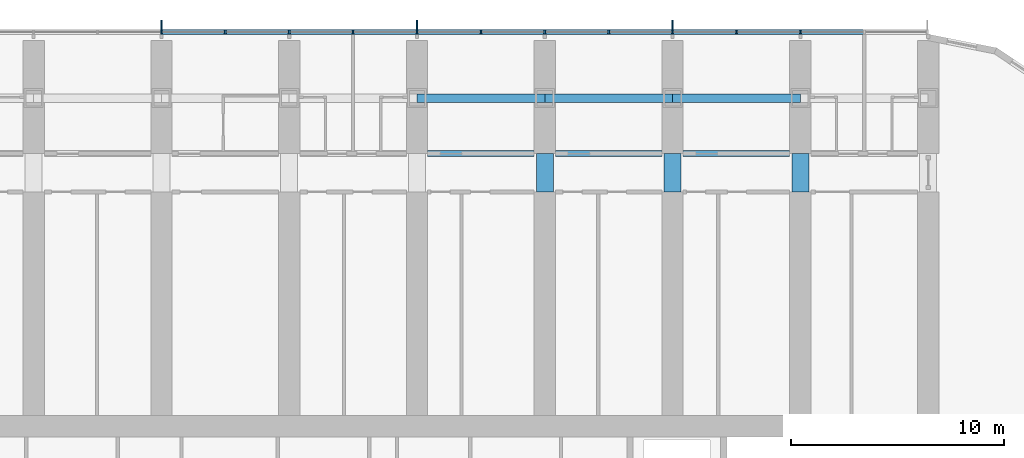
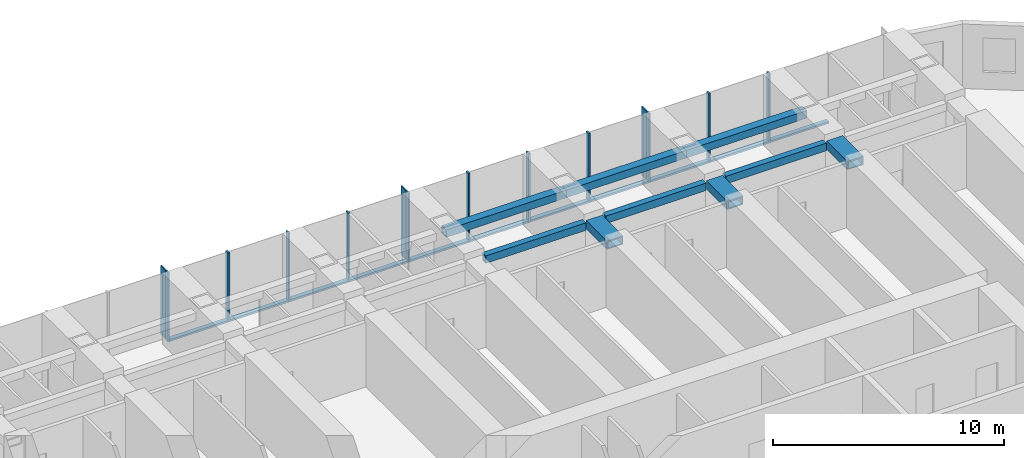
# One storey, part 5 of 23: 25 members, 9 beams, 1 element without a shape of its own.
"""IFC4 building model written with IfcOpenShell, lengths in metres."""

from ifc_helpers import new_model, si_unit, direction, frame, origin, origin_2d, place, context, subcontext, project, spatial, rectangle, hollow_rectangle, extrude, material, material_profile, profile_set, type_object, element, aggregate, save


model = new_model("IFC4")

# Units and contexts
model_context = context("Model", 3, precision=1e-05, world=origin(), true_north=direction((0.0, 1.0)))
body_context = subcontext(model_context, "Body", "Model", "MODEL_VIEW")
ifc_project = project(units=[si_unit("LENGTHUNIT", "METRE"), si_unit("AREAUNIT", "SQUARE_METRE"), si_unit("VOLUMEUNIT", "CUBIC_METRE"), si_unit("PLANEANGLEUNIT", "RADIAN"), si_unit("MASSUNIT", "GRAM", prefix="KILO")], contexts=[model_context])

# Site, building, storey
site_placement = place(None, origin())
site = spatial("IfcSite", under=ifc_project, at=site_placement, CompositionType="ELEMENT")
building_placement = place(site_placement, origin())
building = spatial("IfcBuilding", under=site, at=building_placement, Name="Orbita Commons", CompositionType="ELEMENT")
storey_placement = place(building_placement, frame((0.0, 0.0, 65.199951171875)))
storey = spatial("IfcBuildingStorey", under=building, at=storey_placement, Name="L16", CompositionType="ELEMENT", Elevation=65.199951171875)

# Curtain wall, members
ifc_material_1 = material(Name="Anodised aluminium frame, pale silver", Category="aluminium")
curtain_wall_type = type_object("IfcCurtainWallType", Name="Unitised curtain wall CW-T, vision and spandrel", PredefinedType="NOTDEFINED", material=ifc_material_1)
curtain_wall_placement = place(storey_placement, origin())
curtain_wall = element("IfcCurtainWall", 1, at=curtain_wall_placement, inside=storey, type_object=curtain_wall_type, Name="Curtain wall north L16", PredefinedType="NOTDEFINED")
ifc_material_2 = material(Name="Anodised aluminium, pale silver", Category="aluminium")
ifc_material_profile_1 = material_profile(ifc_material_2, rectangle(XDim=0.080078125, YDim=0.219970703125, at=origin_2d()), Name="AL 80x220")
ifc_profile_set_1 = profile_set([ifc_material_profile_1], Name="Anodised aluminium, pale silver")
member_type_1 = type_object("IfcMemberType", Name="Curtain wall mullion 80x220", PredefinedType="MULLION", material=ifc_profile_set_1)
member_1_placement = place(storey_placement, frame((66.0, 56.7099609375, -0.25), z_axis=(0.0, 0.0, 1.0), x_axis=(-1.0, 0.0, 0.0)))
member_1 = element("IfcMember", 2, at=member_1_placement, type_object=member_type_1, Name="Mullion 3 CW-L16-N", PredefinedType="MULLION", context=body_context, shape_type="SweptSolid", body=[
    extrude(rectangle(XDim=0.080078125, YDim=0.219970703125, at=origin_2d()), origin(), (0.0, 0.0, 1.0), 3.650146484375),
])
member_2_placement = place(storey_placement, frame((63.0, 56.7099609375, -0.25), z_axis=(0.0, 0.0, 1.0), x_axis=(-1.0, 0.0, 0.0)))
member_2 = element("IfcMember", 3, at=member_2_placement, type_object=member_type_1, Name="Mullion 4 CW-L16-N", PredefinedType="MULLION", context=body_context, shape_type="SweptSolid", body=[
    extrude(rectangle(XDim=0.080078125, YDim=0.219970703125, at=origin_2d()), origin(), (0.0, 0.0, 1.0), 3.650146484375),
])
member_3_placement = place(storey_placement, frame((60.0, 56.7099609375, -0.25), z_axis=(0.0, 0.0, 1.0), x_axis=(-1.0, 0.0, 0.0)))
member_3 = element("IfcMember", 4, at=member_3_placement, type_object=member_type_1, Name="Mullion 5 CW-L16-N", PredefinedType="MULLION", context=body_context, shape_type="SweptSolid", body=[
    extrude(rectangle(XDim=0.080078125, YDim=0.219970703125, at=origin_2d()), origin(), (0.0, 0.0, 1.0), 3.650146484375),
])
member_4_placement = place(storey_placement, frame((57.0, 56.7099609375, -0.25), z_axis=(0.0, 0.0, 1.0), x_axis=(-1.0, 0.0, 0.0)))
member_4 = element("IfcMember", 5, at=member_4_placement, type_object=member_type_1, Name="Mullion 6 CW-L16-N", PredefinedType="MULLION", context=body_context, shape_type="SweptSolid", body=[
    extrude(rectangle(XDim=0.080078125, YDim=0.219970703125, at=origin_2d()), origin(), (0.0, 0.0, 1.0), 3.650146484375),
])
member_5_placement = place(storey_placement, frame((54.0, 56.7099609375, -0.25), z_axis=(0.0, 0.0, 1.0), x_axis=(-1.0, 0.0, 0.0)))
member_5 = element("IfcMember", 6, at=member_5_placement, type_object=member_type_1, Name="Mullion 7 CW-L16-N", PredefinedType="MULLION", context=body_context, shape_type="SweptSolid", body=[
    extrude(rectangle(XDim=0.080078125, YDim=0.219970703125, at=origin_2d()), origin(), (0.0, 0.0, 1.0), 3.650146484375),
])
member_6_placement = place(storey_placement, frame((51.0, 56.7099609375, -0.25), z_axis=(0.0, 0.0, 1.0), x_axis=(-1.0, 0.0, 0.0)))
member_6 = element("IfcMember", 7, at=member_6_placement, type_object=member_type_1, Name="Mullion 8 CW-L16-N", PredefinedType="MULLION", context=body_context, shape_type="SweptSolid", body=[
    extrude(rectangle(XDim=0.080078125, YDim=0.219970703125, at=origin_2d()), origin(), (0.0, 0.0, 1.0), 3.650146484375),
])
member_7_placement = place(storey_placement, frame((48.0, 56.7099609375, -0.25), z_axis=(0.0, 0.0, 1.0), x_axis=(-1.0, 0.0, 0.0)))
member_7 = element("IfcMember", 8, at=member_7_placement, type_object=member_type_1, Name="Mullion 9 CW-L16-N", PredefinedType="MULLION", context=body_context, shape_type="SweptSolid", body=[
    extrude(rectangle(XDim=0.080078125, YDim=0.219970703125, at=origin_2d()), origin(), (0.0, 0.0, 1.0), 3.650146484375),
])
member_8_placement = place(storey_placement, frame((45.0, 56.7099609375, -0.25), z_axis=(0.0, 0.0, 1.0), x_axis=(-1.0, 0.0, 0.0)))
member_8 = element("IfcMember", 9, at=member_8_placement, type_object=member_type_1, Name="Mullion 10 CW-L16-N", PredefinedType="MULLION", context=body_context, shape_type="SweptSolid", body=[
    extrude(rectangle(XDim=0.080078125, YDim=0.219970703125, at=origin_2d()), origin(), (0.0, 0.0, 1.0), 3.650146484375),
])
member_9_placement = place(storey_placement, frame((42.0, 56.7099609375, -0.25), z_axis=(0.0, 0.0, 1.0), x_axis=(-1.0, 0.0, 0.0)))
member_9 = element("IfcMember", 10, at=member_9_placement, type_object=member_type_1, Name="Mullion 11 CW-L16-N", PredefinedType="MULLION", context=body_context, shape_type="SweptSolid", body=[
    extrude(rectangle(XDim=0.080078125, YDim=0.219970703125, at=origin_2d()), origin(), (0.0, 0.0, 1.0), 3.650146484375),
])
member_10_placement = place(storey_placement, frame((39.0, 56.7099609375, -0.25), z_axis=(0.0, 0.0, 1.0), x_axis=(-1.0, 0.0, 0.0)))
member_10 = element("IfcMember", 11, at=member_10_placement, type_object=member_type_1, Name="Mullion 12 CW-L16-N", PredefinedType="MULLION", context=body_context, shape_type="SweptSolid", body=[
    extrude(rectangle(XDim=0.080078125, YDim=0.219970703125, at=origin_2d()), origin(), (0.0, 0.0, 1.0), 3.650146484375),
])
member_11_placement = place(storey_placement, frame((36.0, 56.7099609375, -0.25), z_axis=(0.0, 0.0, 1.0), x_axis=(-1.0, 0.0, 0.0)))
member_11 = element("IfcMember", 12, at=member_11_placement, type_object=member_type_1, Name="Mullion 13 CW-L16-N", PredefinedType="MULLION", context=body_context, shape_type="SweptSolid", body=[
    extrude(rectangle(XDim=0.080078125, YDim=0.219970703125, at=origin_2d()), origin(), (0.0, 0.0, 1.0), 3.650146484375),
])
ifc_material_3 = material(Name="Anodised aluminium, pale silver", Category="aluminium")
ifc_material_profile_2 = material_profile(ifc_material_3, rectangle(XDim=0.219970703125, YDim=0.10009765625, at=origin_2d()), Name="AL 220x100")
ifc_profile_set_2 = profile_set([ifc_material_profile_2], Name="Anodised aluminium, pale silver")
member_type_2 = type_object("IfcMemberType", Name="Curtain wall stack transom 220x100", PredefinedType="USERDEFINED", material=ifc_profile_set_2)
member_12_placement = place(storey_placement, frame((68.9599609375, 56.7099609375, -0.199951171875), z_axis=(-1.0, 0.0, 0.0), x_axis=(0.0, -1.0, 0.0)))
member_12 = element("IfcMember", 13, at=member_12_placement, type_object=member_type_2, Name="Transom 2.1 CW-L16-N", ObjectType="TRANSOM", PredefinedType="USERDEFINED", context=body_context, shape_type="SweptSolid", body=[
    extrude(rectangle(XDim=0.219970703125, YDim=0.10009765625, at=origin_2d()), origin(), (0.0, 0.0, 1.0), 2.919921875),
])
member_13_placement = place(storey_placement, frame((65.9599609375, 56.7099609375, -0.199951171875), z_axis=(-1.0, 0.0, 0.0), x_axis=(0.0, -1.0, 0.0)))
member_13 = element("IfcMember", 14, at=member_13_placement, type_object=member_type_2, Name="Transom 3.1 CW-L16-N", ObjectType="TRANSOM", PredefinedType="USERDEFINED", context=body_context, shape_type="SweptSolid", body=[
    extrude(rectangle(XDim=0.219970703125, YDim=0.10009765625, at=origin_2d()), origin(), (0.0, 0.0, 1.0), 2.919921875),
])
member_14_placement = place(storey_placement, frame((62.9599609375, 56.7099609375, -0.199951171875), z_axis=(-1.0, 0.0, 0.0), x_axis=(0.0, -1.0, 0.0)))
member_14 = element("IfcMember", 15, at=member_14_placement, type_object=member_type_2, Name="Transom 4.1 CW-L16-N", ObjectType="TRANSOM", PredefinedType="USERDEFINED", context=body_context, shape_type="SweptSolid", body=[
    extrude(rectangle(XDim=0.219970703125, YDim=0.10009765625, at=origin_2d()), origin(), (0.0, 0.0, 1.0), 2.919921875),
])
member_15_placement = place(storey_placement, frame((59.9599609375, 56.7099609375, -0.199951171875), z_axis=(-1.0, 0.0, 0.0), x_axis=(0.0, -1.0, 0.0)))
member_15 = element("IfcMember", 16, at=member_15_placement, type_object=member_type_2, Name="Transom 5.1 CW-L16-N", ObjectType="TRANSOM", PredefinedType="USERDEFINED", context=body_context, shape_type="SweptSolid", body=[
    extrude(rectangle(XDim=0.219970703125, YDim=0.10009765625, at=origin_2d()), origin(), (0.0, 0.0, 1.0), 2.919921875),
])
member_16_placement = place(storey_placement, frame((56.9599609375, 56.7099609375, -0.199951171875), z_axis=(-1.0, 0.0, 0.0), x_axis=(0.0, -1.0, 0.0)))
member_16 = element("IfcMember", 17, at=member_16_placement, type_object=member_type_2, Name="Transom 6.1 CW-L16-N", ObjectType="TRANSOM", PredefinedType="USERDEFINED", context=body_context, shape_type="SweptSolid", body=[
    extrude(rectangle(XDim=0.219970703125, YDim=0.10009765625, at=origin_2d()), origin(), (0.0, 0.0, 1.0), 2.919921875),
])
member_17_placement = place(storey_placement, frame((53.9599609375, 56.7099609375, -0.199951171875), z_axis=(-1.0, 0.0, 0.0), x_axis=(0.0, -1.0, 0.0)))
member_17 = element("IfcMember", 18, at=member_17_placement, type_object=member_type_2, Name="Transom 7.1 CW-L16-N", ObjectType="TRANSOM", PredefinedType="USERDEFINED", context=body_context, shape_type="SweptSolid", body=[
    extrude(rectangle(XDim=0.219970703125, YDim=0.10009765625, at=origin_2d()), origin(), (0.0, 0.0, 1.0), 2.919921875),
])
member_18_placement = place(storey_placement, frame((50.9599609375, 56.7099609375, -0.199951171875), z_axis=(-1.0, 0.0, 0.0), x_axis=(0.0, -1.0, 0.0)))
member_18 = element("IfcMember", 19, at=member_18_placement, type_object=member_type_2, Name="Transom 8.1 CW-L16-N", ObjectType="TRANSOM", PredefinedType="USERDEFINED", context=body_context, shape_type="SweptSolid", body=[
    extrude(rectangle(XDim=0.219970703125, YDim=0.10009765625, at=origin_2d()), origin(), (0.0, 0.0, 1.0), 2.919921875),
])
member_19_placement = place(storey_placement, frame((47.9599609375, 56.7099609375, -0.199951171875), z_axis=(-1.0, 0.0, 0.0), x_axis=(0.0, -1.0, 0.0)))
member_19 = element("IfcMember", 20, at=member_19_placement, type_object=member_type_2, Name="Transom 9.1 CW-L16-N", ObjectType="TRANSOM", PredefinedType="USERDEFINED", context=body_context, shape_type="SweptSolid", body=[
    extrude(rectangle(XDim=0.219970703125, YDim=0.10009765625, at=origin_2d()), origin(), (0.0, 0.0, 1.0), 2.919921875),
])
member_20_placement = place(storey_placement, frame((44.9599609375, 56.7099609375, -0.199951171875), z_axis=(-1.0, 0.0, 0.0), x_axis=(0.0, -1.0, 0.0)))
member_20 = element("IfcMember", 21, at=member_20_placement, type_object=member_type_2, Name="Transom 10.1 CW-L16-N", ObjectType="TRANSOM", PredefinedType="USERDEFINED", context=body_context, shape_type="SweptSolid", body=[
    extrude(rectangle(XDim=0.219970703125, YDim=0.10009765625, at=origin_2d()), origin(), (0.0, 0.0, 1.0), 2.919921875),
])
member_21_placement = place(storey_placement, frame((41.9599609375, 56.7099609375, -0.199951171875), z_axis=(-1.0, 0.0, 0.0), x_axis=(0.0, -1.0, 0.0)))
member_21 = element("IfcMember", 22, at=member_21_placement, type_object=member_type_2, Name="Transom 11.1 CW-L16-N", ObjectType="TRANSOM", PredefinedType="USERDEFINED", context=body_context, shape_type="SweptSolid", body=[
    extrude(rectangle(XDim=0.219970703125, YDim=0.10009765625, at=origin_2d()), origin(), (0.0, 0.0, 1.0), 2.919921875),
])
member_22_placement = place(storey_placement, frame((38.9599609375, 56.7099609375, -0.199951171875), z_axis=(-1.0, 0.0, 0.0), x_axis=(0.0, -1.0, 0.0)))
member_22 = element("IfcMember", 23, at=member_22_placement, type_object=member_type_2, Name="Transom 12.1 CW-L16-N", ObjectType="TRANSOM", PredefinedType="USERDEFINED", context=body_context, shape_type="SweptSolid", body=[
    extrude(rectangle(XDim=0.219970703125, YDim=0.10009765625, at=origin_2d()), origin(), (0.0, 0.0, 1.0), 2.919921875),
])

# Beams
ifc_material_4 = material(Name="Steel ASTM A572 Gr 50 welded plate", Category="steel")
ifc_material_profile_3 = material_profile(ifc_material_4, hollow_rectangle(XDim=0.300048828125, YDim=0.39990234375, WallThickness=0.0400390625, at=origin_2d()), Name="BOX 400x300x40")
ifc_profile_set_3 = profile_set([ifc_material_profile_3], Name="Steel ASTM A572 Gr 50 welded plate")
beam_type_1 = type_object("IfcBeamType", Name="Steel corridor link BOX 400x300x40", PredefinedType="BEAM", material=ifc_profile_set_3)
for number, where, z_axis, x_axis, name in (
    (24, (48.5, 51.0, 3.199951171875), (1.0, 0.0, 0.0), (0.0, 1.0, 0.0), "Corridor beam NB 9-10 L16"),
    (25, (54.5, 51.0, 3.199951171875), (1.0, 0.0, 0.0), (0.0, 1.0, 0.0), "Corridor beam NB 10-11 L16"),
    (26, (60.5, 51.0, 3.199951171875), (1.0, 0.0, 0.0), (0.0, 1.0, 0.0), "Corridor beam NB 11-12 L16"),
):
    element("IfcBeam", number, at=place(storey_placement, frame(where, z_axis=z_axis, x_axis=x_axis)), inside=storey, type_object=beam_type_1, Name=name, PredefinedType="BEAM", context=body_context, shape_type="SweptSolid", body=[
        extrude(hollow_rectangle(XDim=0.300048828125, YDim=0.39990234375, WallThickness=0.0400390625, at=origin_2d()), origin(), (0.0, 0.0, 1.0), 5.0),
    ])
ifc_material_5 = material(Name="Steel ASTM A572 Gr 50 welded plate", Category="steel")
ifc_material_profile_4 = material_profile(ifc_material_5, hollow_rectangle(XDim=0.800048828125, YDim=0.449951171875, WallThickness=0.06005859375, at=origin_2d()), Name="BOX 450x800x60")
ifc_profile_set_4 = profile_set([ifc_material_profile_4], Name="Steel ASTM A572 Gr 50 welded plate")
beam_type_2 = type_object("IfcBeamType", Name="Steel coupling link BOX 450x800x60", PredefinedType="LINTEL", material=ifc_profile_set_4)
for number, where, z_axis, x_axis, name in (
    (27, (54.0, 49.199951171875, 3.175048828125), (0.0, 1.0, 0.0), (-1.0, 0.0, 0.0), "Coupling beam 10 north L16"),
    (28, (60.0, 49.199951171875, 3.175048828125), (0.0, 1.0, 0.0), (-1.0, 0.0, 0.0), "Coupling beam 11 north L16"),
    (29, (66.0, 49.199951171875, 3.175048828125), (0.0, 1.0, 0.0), (-1.0, 0.0, 0.0), "Coupling beam 12 north L16"),
):
    element("IfcBeam", number, at=place(storey_placement, frame(where, z_axis=z_axis, x_axis=x_axis)), inside=storey, type_object=beam_type_2, Name=name, PredefinedType="LINTEL", context=body_context, shape_type="SweptSolid", body=[
        extrude(hollow_rectangle(XDim=0.800048828125, YDim=0.449951171875, WallThickness=0.06005859375, at=origin_2d()), origin(), (0.0, 0.0, 1.0), 1.800048828125),
    ])
ifc_material_6 = material(Name="Steel ASTM A572 Gr 50 welded plate", Category="steel")
ifc_material_profile_5 = material_profile(ifc_material_6, hollow_rectangle(XDim=0.39990234375, YDim=0.39990234375, WallThickness=0.0400390625, at=origin_2d()), Name="BOX 400x400x40")
ifc_profile_set_5 = profile_set([ifc_material_profile_5], Name="Steel ASTM A572 Gr 50 welded plate")
beam_type_3 = type_object("IfcBeamType", Name="Steel spandrel BOX 400x400x40", PredefinedType="SPANDREL", material=ifc_profile_set_5)
for number, where, z_axis, x_axis, name in (
    (30, (48.0, 53.60009765625, 3.199951171875), (1.0, 0.0, 0.0), (0.0, 1.0, 0.0), "Spandrel beam E 9-10 L16"),
    (31, (54.0, 53.60009765625, 3.199951171875), (1.0, 0.0, 0.0), (0.0, 1.0, 0.0), "Spandrel beam E 10-11 L16"),
    (32, (60.0, 53.60009765625, 3.199951171875), (1.0, 0.0, 0.0), (0.0, 1.0, 0.0), "Spandrel beam E 11-12 L16"),
):
    element("IfcBeam", number, at=place(storey_placement, frame(where, z_axis=z_axis, x_axis=x_axis)), inside=storey, type_object=beam_type_3, Name=name, PredefinedType="SPANDREL", context=body_context, shape_type="SweptSolid", body=[
        extrude(hollow_rectangle(XDim=0.39990234375, YDim=0.39990234375, WallThickness=0.0400390625, at=origin_2d()), origin(), (0.0, 0.0, 1.0), 6.0),
    ])

# Member
ifc_material_7 = material(Name="Anodised aluminium, pale silver", Category="aluminium")
ifc_material_profile_6 = material_profile(ifc_material_7, rectangle(XDim=0.06005859375, YDim=0.449951171875, at=origin_2d()), Name="FIN 60x450")
ifc_profile_set_6 = profile_set([ifc_material_profile_6], Name="Anodised aluminium, pale silver")
member_type_3 = type_object("IfcMemberType", Name="Vertical fin 60x450 pale aluminium", PredefinedType="USERDEFINED", material=ifc_profile_set_6)
member_23_placement = place(storey_placement, frame((60.0, 57.044921875, -0.25), z_axis=(0.0, 0.0, 1.0), x_axis=(-1.0, 0.0, 0.0)))
member_23 = element("IfcMember", 33, at=member_23_placement, type_object=member_type_3, Name="Fin 5 CW-L16-N", ObjectType="FIN", PredefinedType="USERDEFINED", context=body_context, shape_type="SweptSolid", body=[
    extrude(rectangle(XDim=0.06005859375, YDim=0.449951171875, at=origin_2d()), origin(), (0.0, 0.0, 1.0), 3.650146484375),
])

member_24_placement = place(storey_placement, frame((48.0, 57.044921875, -0.25), z_axis=(0.0, 0.0, 1.0), x_axis=(-1.0, 0.0, 0.0)))
member_24 = element("IfcMember", 34, at=member_24_placement, type_object=member_type_3, Name="Fin 9 CW-L16-N", ObjectType="FIN", PredefinedType="USERDEFINED", context=body_context, shape_type="SweptSolid", body=[
    extrude(rectangle(XDim=0.06005859375, YDim=0.449951171875, at=origin_2d()), origin(), (0.0, 0.0, 1.0), 3.650146484375),
])

member_25_placement = place(storey_placement, frame((36.0, 57.044921875, -0.25), z_axis=(0.0, 0.0, 1.0), x_axis=(-1.0, 0.0, 0.0)))
member_25 = element("IfcMember", 35, at=member_25_placement, type_object=member_type_3, Name="Fin 13 CW-L16-N", ObjectType="FIN", PredefinedType="USERDEFINED", context=body_context, shape_type="SweptSolid", body=[
    extrude(rectangle(XDim=0.06005859375, YDim=0.449951171875, at=origin_2d()), origin(), (0.0, 0.0, 1.0), 3.650146484375),
])

aggregate(curtain_wall, [member_1, member_2, member_3, member_23, member_4, member_5, member_6, member_7, member_24, member_8, member_9, member_10, member_11, member_25, member_12, member_13, member_14, member_15, member_16, member_17, member_18, member_19, member_20, member_21, member_22])

save(model, "model.ifc")
